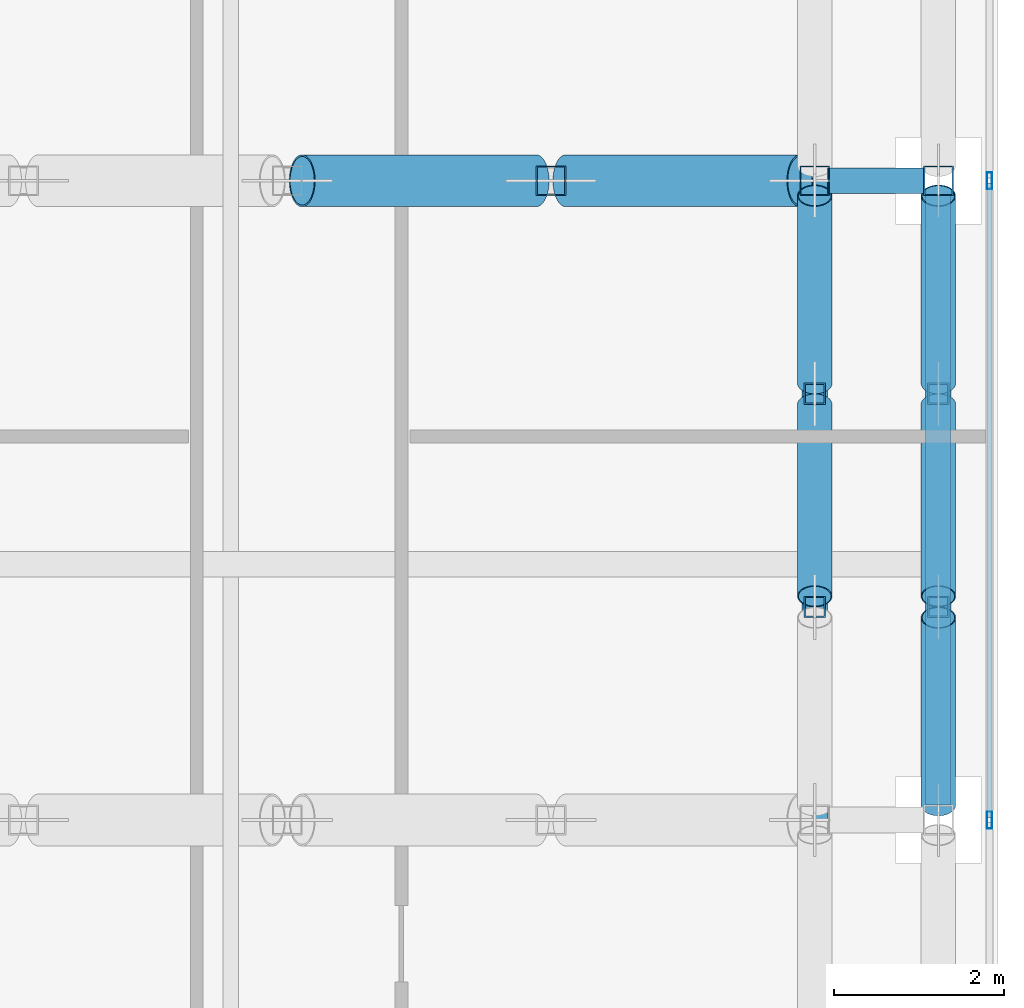
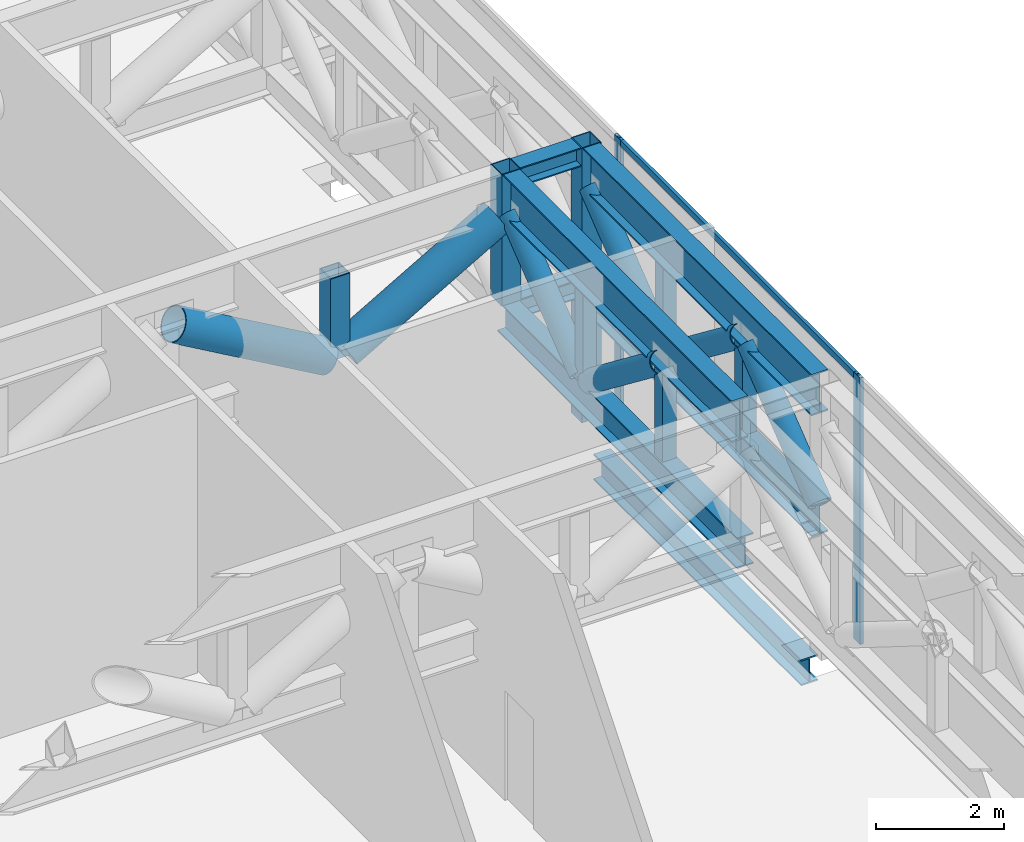
# One storey, part 14 of 36: 21 members, 3 beams, 1 element without a shape of its own.
"""IFC4 building model written with IfcOpenShell, lengths in metres."""

import ifcopenshell
import ifcopenshell.guid

model = None  # the IFC model being written
_history = None  # IfcOwnerHistory: only IFC2X3 demands one
_inside = {}  # id of a spatial element -> (the spatial element, [elements in it])
_under = {}  # id of a project, library or spatial element -> (it, [spatial elements below it])
_declared = {}  # id of a project -> (the project, [libraries it declares])
_typed = {}  # id of a type object -> (the type object, [elements of that type])
_made_of = {}  # id of a material, layer set ... -> (it, [elements and type objects made of it])


def new_model(schema):
    """Start an empty IFC model of exactly this schema.

    Asked for "IFC4X3", IfcOpenShell would pick the latest addendum, in which some entities
    have other attributes; the version numbers below select the first issue.
    IFC2X3 requires an IfcOwnerHistory on every rooted entity: one is made here for all.
    """
    global model, _history
    if schema == "IFC4X3":
        model = ifcopenshell.file(schema_version=(4, 3, 0, 0))
    else:
        model = ifcopenshell.file(schema=schema)
    _inside.clear()
    _under.clear()
    _declared.clear()
    _typed.clear()
    _made_of.clear()
    _history = None
    if model.schema == "IFC2X3":
        org = make("IfcOrganization", Name="unknown")
        user = make(
            "IfcPersonAndOrganization",
            ThePerson=make("IfcPerson", FamilyName="unknown"),
            TheOrganization=org,
        )
        app = make(
            "IfcApplication",
            ApplicationDeveloper=org,
            Version="unknown",
            ApplicationFullName="unknown",
            ApplicationIdentifier="unknown",
        )
        _history = make(
            "IfcOwnerHistory",
            OwningUser=user,
            OwningApplication=app,
            ChangeAction="ADDED",
            CreationDate=0,
        )
    return model


def make(cls, **values):
    """One entity of the class cls with the attributes given. An attribute that is None is left unset."""
    return model.create_entity(
        cls, **{name: value for name, value in values.items() if value is not None}
    )


def rooted(cls, **values):
    """An entity with a GlobalId (a new one), such as an element, a storey or a relation."""
    return make(cls, GlobalId=ifcopenshell.guid.new(), OwnerHistory=_history, **values)


def si_unit(unit_type, name, prefix=None):
    """IfcSIUnit, for example si_unit("LENGTHUNIT", "METRE", prefix="MILLI")."""
    return make("IfcSIUnit", UnitType=unit_type, Prefix=prefix, Name=name)


def assignment(units):
    """IfcUnitAssignment: the units of a project."""
    return None if units is None else make("IfcUnitAssignment", Units=units)


def point(xyz):
    """IfcCartesianPoint."""
    return None if xyz is None else make("IfcCartesianPoint", Coordinates=xyz)


def direction(xyz):
    """IfcDirection."""
    return None if xyz is None else make("IfcDirection", DirectionRatios=xyz)


def frame(location, z_axis=None, x_axis=None):
    """IfcAxis2Placement3D, a coordinate frame: its origin and axes. An axis left out is left unset."""
    return make(
        "IfcAxis2Placement3D",
        Location=point(location),
        Axis=direction(z_axis),
        RefDirection=direction(x_axis),
    )


def frame_2d(location, x_axis=None):
    """IfcAxis2Placement2D, a coordinate frame in the plane: its origin and x axis."""
    return make(
        "IfcAxis2Placement2D", Location=point(location), RefDirection=direction(x_axis)
    )


def origin():
    """The frame at (0, 0, 0) with its axes left unset."""
    return frame((0.0, 0.0, 0.0))


def origin_2d():
    """The frame at (0, 0) in the plane with its x axis left unset."""
    return frame_2d((0.0, 0.0))


def place(relative_to, where):
    """IfcLocalPlacement: puts the frame where relative to a parent placement (None: the world)."""
    return make(
        "IfcLocalPlacement", PlacementRelTo=relative_to, RelativePlacement=where
    )


def context(
    kind, dimensions, precision=None, world=None, true_north=None, identifier=None
):
    """IfcGeometricRepresentationContext, for example the 3D "Model" context."""
    return make(
        "IfcGeometricRepresentationContext",
        ContextIdentifier=identifier,
        ContextType=kind,
        CoordinateSpaceDimension=dimensions,
        Precision=precision,
        WorldCoordinateSystem=world,
        TrueNorth=true_north,
    )


def subcontext(parent, identifier, kind, view, scale=None):
    """IfcGeometricRepresentationSubContext, for example "Body" below "Model"."""
    return make(
        "IfcGeometricRepresentationSubContext",
        ContextIdentifier=identifier,
        ContextType=kind,
        ParentContext=parent,
        TargetScale=scale,
        TargetView=view,
    )


def project(units=None, contexts=None):
    """IfcProject with its units and contexts."""
    return rooted(
        "IfcProject",
        Name="project",
        RepresentationContexts=contexts,
        UnitsInContext=assignment(units),
    )


def spatial(cls, under=None, at=None, **own):
    """A site, building, storey or space (cls), placed at a placement, below another one or the project."""
    s = rooted(cls, ObjectPlacement=at, **own)
    if under is not None:
        _under.setdefault(under.id(), (under, []))[1].append(s)
    return s


def profile(cls, at=None, kind="AREA", **sizes):
    """A parametric profile (cls). Its sizes go by their IFC names, for example OverallWidth=200.0."""
    return make(cls, ProfileType=kind, Position=at, **sizes)


def hollow_rectangle(**sizes):
    """IfcRectangleHollowProfileDef."""
    return profile("IfcRectangleHollowProfileDef", **sizes)


def hollow_circle(**sizes):
    """IfcCircleHollowProfileDef."""
    return profile("IfcCircleHollowProfileDef", **sizes)


def i_section(**sizes):
    """IfcIShapeProfileDef."""
    return profile("IfcIShapeProfileDef", **sizes)


def extrude(swept, where, along, depth):
    """IfcExtrudedAreaSolid: the profile swept, set in the frame where, extruded along a direction by depth."""
    return make(
        "IfcExtrudedAreaSolid",
        SweptArea=swept,
        Position=where,
        ExtrudedDirection=direction(along),
        Depth=depth,
    )


def shape(context_of_items, identifier, shape_type, items):
    """IfcShapeRepresentation: the items that make up one representation, for example the "Body"."""
    return make(
        "IfcShapeRepresentation",
        ContextOfItems=context_of_items,
        RepresentationIdentifier=identifier,
        RepresentationType=shape_type,
        Items=items,
    )


def source(mapping_origin, context_of_items, identifier, shape_type, items):
    """IfcRepresentationMap: a shape defined once, which mapped items show again and again."""
    return make(
        "IfcRepresentationMap",
        MappingOrigin=mapping_origin,
        MappedRepresentation=shape(context_of_items, identifier, shape_type, items),
    )


def transform(
    local_origin,
    x_axis=None,
    y_axis=None,
    z_axis=None,
    scale=None,
    scale2=None,
    scale3=None,
    uniform=True,
):
    """IfcCartesianTransformationOperator3D, or its non-uniform kind. x_axis, y_axis, z_axis: its Axis1, 2, 3."""
    if uniform:
        return make(
            "IfcCartesianTransformationOperator3D",
            Axis1=direction(x_axis),
            Axis2=direction(y_axis),
            LocalOrigin=point(local_origin),
            Scale=scale,
            Axis3=direction(z_axis),
        )
    return make(
        "IfcCartesianTransformationOperator3DnonUniform",
        Axis1=direction(x_axis),
        Axis2=direction(y_axis),
        LocalOrigin=point(local_origin),
        Scale=scale,
        Axis3=direction(z_axis),
        Scale2=scale2,
        Scale3=scale3,
    )


def mapped(mapping_source, mapping_target):
    """IfcMappedItem: shows the shape of a source again, moved by a transform."""
    return make(
        "IfcMappedItem", MappingSource=mapping_source, MappingTarget=mapping_target
    )


def material(Name=None, Category=None):
    """IfcMaterial."""
    return make("IfcMaterial", Name=Name, Category=Category)


def material_profile(
    of_material, cross_section, Name=None, Category=None, Priority=None
):
    """IfcMaterialProfile: a cross section and its material."""
    return make(
        "IfcMaterialProfile",
        Name=Name,
        Material=of_material,
        Profile=cross_section,
        Priority=Priority,
        Category=Category,
    )


def profile_set(profiles, Name=None, composite=None):
    """IfcMaterialProfileSet."""
    return make(
        "IfcMaterialProfileSet",
        Name=Name,
        MaterialProfiles=profiles,
        CompositeProfile=composite,
    )


def made_of(thing, what):
    """Note that an element or type object is made of a material, layer set ...; save() writes the relation."""
    if what is not None:
        _made_of.setdefault(what.id(), (what, []))[1].append(thing)
    return thing


def type_object(cls, material=None, **own):
    """A type object (cls), such as IfcWallType, which elements share."""
    return made_of(rooted(cls, **own), material)


def element(
    cls,
    number,
    at=None,
    inside=None,
    cuts=None,
    type_object=None,
    material=None,
    context=None,
    identifier="Body",
    shape_type=None,
    held_by="IfcProductDefinitionShape",
    body=None,
    shapes=None,
    **own,
):
    """One element of the class cls, such as IfcWall. Its Tag is "e" and its number.

    at: its placement. inside: the storey or other place that contains it. cuts: it is an
    opening in that element (IfcRelVoidsElement). A single representation is given by context,
    identifier, shape_type and body (its items); several are given by shapes. held_by: the class
    of the entity that holds the representations. save() writes the other relations.
    """
    e = rooted(cls, Tag="e%d" % number, ObjectPlacement=at, **own)
    if body is not None:
        shapes = [shape(context, identifier, shape_type, body)]
    if shapes is not None:
        e.Representation = make(held_by, Representations=shapes)
    if inside is not None:
        _inside.setdefault(inside.id(), (inside, []))[1].append(e)
    if cuts is not None:
        rooted(
            "IfcRelVoidsElement", RelatingBuildingElement=cuts, RelatedOpeningElement=e
        )
    if type_object is not None:
        _typed.setdefault(type_object.id(), (type_object, []))[1].append(e)
    return made_of(e, material)


def aggregate(whole, parts):
    """IfcRelAggregates: a whole, such as a stair, and the parts it consists of."""
    return rooted("IfcRelAggregates", RelatingObject=whole, RelatedObjects=parts)


def save(model, path):
    """Write the relations noted so far, then the file.

    IfcRelAggregates (storeys below a building ...), IfcRelContainedInSpatialStructure (elements
    in a storey), IfcRelDefinesByType, IfcRelAssociatesMaterial and IfcRelDeclares: one each for
    every whole, place, type object, material and project.
    """
    for whole, parts in _under.values():
        aggregate(whole, parts)
    for where, things in _inside.values():
        rooted(
            "IfcRelContainedInSpatialStructure",
            RelatedElements=things,
            RelatingStructure=where,
        )
    for kind, things in _typed.values():
        rooted("IfcRelDefinesByType", RelatedObjects=things, RelatingType=kind)
    for what, things in _made_of.values():
        rooted("IfcRelAssociatesMaterial", RelatedObjects=things, RelatingMaterial=what)
    for by, libraries in _declared.values():
        rooted("IfcRelDeclares", RelatingContext=by, RelatedDefinitions=libraries)
    model.write(path)


model = new_model("IFC4")

# Units and contexts
model_context = context("Model", 3, precision=1e-05, world=origin(), true_north=direction((0.0, 1.0)))
body_context = subcontext(model_context, "Body", "Model", "MODEL_VIEW")
ifc_project = project(units=[si_unit("LENGTHUNIT", "METRE"), si_unit("AREAUNIT", "SQUARE_METRE"), si_unit("VOLUMEUNIT", "CUBIC_METRE"), si_unit("PLANEANGLEUNIT", "RADIAN"), si_unit("MASSUNIT", "GRAM", prefix="KILO")], contexts=[model_context])

# Site, building, storey
site_placement = place(None, origin())
site = spatial("IfcSite", under=ifc_project, at=site_placement, CompositionType="ELEMENT")
building_placement = place(site_placement, origin())
building = spatial("IfcBuilding", under=site, at=building_placement, Name="Khomas Fold Tower", CompositionType="ELEMENT")
storey_placement = place(building_placement, frame((0.0, 0.0, 216.699951171875)))
storey = spatial("IfcBuildingStorey", under=building, at=storey_placement, Name="L48", CompositionType="ELEMENT", Elevation=216.699951171875)

# Beam
ifc_material_1 = material(Name="Steel S355", Category="steel")
ifc_material_profile_1 = material_profile(ifc_material_1, i_section(OverallWidth=0.300048828125, OverallDepth=0.5, WebThickness=0.014404296875, FlangeThickness=0.028076171875, at=origin_2d()), Name="HE 500 B")
ifc_profile_set_1 = profile_set([ifc_material_profile_1], Name="Steel S355")
beam_type_1 = type_object("IfcBeamType", Name="HE 500 B spandrel SB3", PredefinedType="SPANDREL", material=ifc_profile_set_1)
shared_shape_1 = source(origin(), body_context, "Body", "SweptSolid", [
    extrude(i_section(OverallWidth=0.300048828125, OverallDepth=0.5, WebThickness=0.014404296875, FlangeThickness=0.028076171875, at=origin_2d()), origin(), (0.0, 0.0, 1.0), 6.5),
])
beam_1_placement = place(storey_placement, frame((50.300048828125, 20.0, -0.64990234375), z_axis=(0.0, 1.0, 0.0), x_axis=(-1.0, 0.0, 0.0)))
element("IfcBeam", 1, at=beam_1_placement, inside=storey, type_object=beam_type_1, Name="SB3", PredefinedType="SPANDREL", context=body_context, shape_type="MappedRepresentation", body=[
    mapped(shared_shape_1, transform((0.0, 0.0, 0.0))),
])

# Members
ifc_material_2 = material(Name="Steel S355", Category="steel")
ifc_material_profile_2 = material_profile(ifc_material_2, i_section(OverallWidth=0.300048828125, OverallDepth=0.7900390625, WebThickness=0.014892578125, FlangeThickness=0.028076171875, at=origin_2d()), Name="HE 800 A")
ifc_profile_set_2 = profile_set([ifc_material_profile_2], Name="Steel S355")
member_type_1 = type_object("IfcMemberType", Name="BELT TRUSS 3 TOP CHORD HE 800 A", PredefinedType="CHORD", material=ifc_profile_set_2)
shared_shape_2 = source(origin(), body_context, "Body", "SweptSolid", [
    extrude(i_section(OverallWidth=0.300048828125, OverallDepth=0.7900390625, WebThickness=0.014892578125, FlangeThickness=0.028076171875, at=origin_2d()), origin(), (0.0, 0.0, 1.0), 7.14990234375),
])
for number, where, z_axis, x_axis, name in (
    (2, (50.300048828125, 19.675048828125, 4.85498046875), (0.0, 1.0, 0.0), (-1.0, 0.0, 0.0), "BT3-CT"),
    (3, (48.85009765625, 19.675048828125, 4.85498046875), (0.0, 1.0, 0.0), (-1.0, 0.0, 0.0), "BT3-CT"),
):
    element("IfcMember", number, at=place(storey_placement, frame(where, z_axis=z_axis, x_axis=x_axis)), inside=storey, type_object=member_type_1, Name=name, PredefinedType="CHORD", context=body_context, shape_type="MappedRepresentation", body=[
        mapped(shared_shape_2, transform((0.0, 0.0, 0.0))),
    ])
ifc_material_3 = material(Name="Steel S355", Category="steel")
ifc_material_profile_3 = material_profile(ifc_material_3, i_section(OverallWidth=0.300048828125, OverallDepth=0.590087890625, WebThickness=0.012939453125, FlangeThickness=0.02490234375, at=origin_2d()), Name="HE 600 A")
ifc_profile_set_3 = profile_set([ifc_material_profile_3], Name="Steel S355")
member_type_2 = type_object("IfcMemberType", Name="BELT TRUSS 3 BOTTOM CHORD HE 600 A", PredefinedType="CHORD", material=ifc_profile_set_3)
shared_shape_3 = source(origin(), body_context, "Body", "SweptSolid", [
    extrude(i_section(OverallWidth=0.300048828125, OverallDepth=0.590087890625, WebThickness=0.012939453125, FlangeThickness=0.02490234375, at=origin_2d()), origin(), (0.0, 0.0, 1.0), 7.14990234375),
])
member_1_placement = place(storey_placement, frame((50.300048828125, 19.675048828125, 2.445068359375), z_axis=(0.0, 1.0, 0.0), x_axis=(-1.0, 0.0, 0.0)))
element("IfcMember", 4, at=member_1_placement, inside=storey, type_object=member_type_2, Name="BT3-CB", PredefinedType="CHORD", context=body_context, shape_type="MappedRepresentation", body=[
    mapped(shared_shape_3, transform((0.0, 0.0, 0.0))),
])
ifc_material_4 = material(Name="Steel S355", Category="steel")
ifc_material_profile_4 = material_profile(ifc_material_4, hollow_circle(Radius=0.203125, WallThickness=0.012451171875, at=origin_2d()), Name="CHS 406.4x12.5")
ifc_profile_set_4 = profile_set([ifc_material_profile_4], Name="Steel S355")
member_type_3 = type_object("IfcMemberType", Name="BELT TRUSS 3 DIAGONAL CHS 406.4x12.5", PredefinedType="BRACE", material=ifc_profile_set_4)
shared_shape_4 = source(origin(), body_context, "Body", "SweptSolid", [
    extrude(hollow_circle(Radius=0.203125, WallThickness=0.012451171875, at=origin_2d()), origin(), (0.0, 0.0, 1.0), 2.798583984375),
])
for number, where, z_axis, x_axis, name in (
    (5, (50.300048828125, 19.675048828125, 2.735107421875), (0.0, 0.786067028411, 0.618141267709), (-1.0, 0.0, 0.0), "BT3-D"),
    (6, (50.300048828125, 24.625, 2.735107421875), (0.0, 0.786067028411, 0.618141267709), (-1.0, 0.0, 0.0), "BT3-D"),
    (7, (48.85009765625, 24.625, 2.735107421875), (0.0, 0.786067028411, 0.618141267709), (-1.0, 0.0, 0.0), "BT3-D"),
):
    element("IfcMember", number, at=place(storey_placement, frame(where, z_axis=z_axis, x_axis=x_axis)), inside=storey, type_object=member_type_3, Name=name, PredefinedType="BRACE", context=body_context, shape_type="MappedRepresentation", body=[
        mapped(shared_shape_4, transform((0.0, 0.0, 0.0))),
    ])
shared_shape_5 = source(origin(), body_context, "Body", "SweptSolid", [
    extrude(hollow_circle(Radius=0.203125, WallThickness=0.012451171875, at=origin_2d()), origin(), (0.0, 0.0, 1.0), 2.838134765625),
])
for number, where, z_axis, x_axis, name in (
    (8, (50.300048828125, 22.125, 4.465087890625), (0.0, 0.792758275848, -0.609536148292), (-1.0, 0.0, 0.0), "BT3-D"),
    (9, (48.85009765625, 22.125, 4.465087890625), (0.0, 0.792758275848, -0.609536148292), (-1.0, 0.0, 0.0), "BT3-D"),
):
    element("IfcMember", number, at=place(storey_placement, frame(where, z_axis=z_axis, x_axis=x_axis)), inside=storey, type_object=member_type_3, Name=name, PredefinedType="BRACE", context=body_context, shape_type="MappedRepresentation", body=[
        mapped(shared_shape_5, transform((0.0, 0.0, 0.0))),
    ])
ifc_material_5 = material(Name="Steel S355", Category="steel")
ifc_material_profile_5 = material_profile(ifc_material_5, hollow_rectangle(XDim=0.25, YDim=0.25, WallThickness=0.01611328125, at=origin_2d()), Name="SHS 250x250x16")
ifc_profile_set_5 = profile_set([ifc_material_profile_5], Name="Steel S355")
member_type_4 = type_object("IfcMemberType", Name="BELT TRUSS 3 MID POST SHS 250x250x16", PredefinedType="POST", material=ifc_profile_set_5)
shared_shape_6 = source(origin(), body_context, "Body", "SweptSolid", [
    extrude(hollow_rectangle(XDim=0.25, YDim=0.25, WallThickness=0.01611328125, at=origin_2d()), origin(), (0.0, 0.0, 1.0), 1.719970703125),
])
for number, where, z_axis, x_axis, name in (
    (10, (50.300048828125, 22.0, 2.739990234375), (0.0, 0.0, 1.0), (1.0, 0.0, 0.0), "BT3-M"),
    (11, (50.300048828125, 24.5, 2.739990234375), (0.0, 0.0, 1.0), (1.0, 0.0, 0.0), "BT3-M"),
    (12, (48.85009765625, 22.0, 2.739990234375), (0.0, 0.0, 1.0), (1.0, 0.0, 0.0), "BT3-M"),
    (13, (48.85009765625, 24.5, 2.739990234375), (0.0, 0.0, 1.0), (1.0, 0.0, 0.0), "BT3-M"),
):
    element("IfcMember", number, at=place(storey_placement, frame(where, z_axis=z_axis, x_axis=x_axis)), inside=storey, type_object=member_type_4, Name=name, PredefinedType="POST", context=body_context, shape_type="MappedRepresentation", body=[
        mapped(shared_shape_6, transform((0.0, 0.0, 0.0))),
    ])
shared_shape_7 = source(origin(), body_context, "Body", "SweptSolid", [
    extrude(i_section(OverallWidth=0.300048828125, OverallDepth=0.590087890625, WebThickness=0.012939453125, FlangeThickness=0.02490234375, at=origin_2d()), origin(), (0.0, 0.0, 1.0), 7.5),
])
member_2_placement = place(storey_placement, frame((48.85009765625, 19.5, 2.445068359375), z_axis=(0.0, 1.0, 0.0), x_axis=(-1.0, 0.0, 0.0)))
element("IfcMember", 14, at=member_2_placement, inside=storey, type_object=member_type_2, Name="BT3-CB", PredefinedType="CHORD", context=body_context, shape_type="MappedRepresentation", body=[
    mapped(shared_shape_7, transform((0.0, 0.0, 0.0))),
])
ifc_material_6 = material(Name="Steel S355", Category="steel")
ifc_material_profile_6 = material_profile(ifc_material_6, hollow_rectangle(XDim=0.35009765625, YDim=0.35009765625, WallThickness=0.01611328125, at=origin_2d()), Name="SHS 350x350x16")
ifc_profile_set_6 = profile_set([ifc_material_profile_6], Name="Steel S355")
member_type_5 = type_object("IfcMemberType", Name="BELT TRUSS 3 COLUMN POST SHS 350x350x16", PredefinedType="POST", material=ifc_profile_set_6)
shared_shape_8 = source(origin(), body_context, "Body", "SweptSolid", [
    extrude(hollow_rectangle(XDim=0.35009765625, YDim=0.35009765625, WallThickness=0.01611328125, at=origin_2d()), origin(), (0.0, 0.0, 1.0), 5.25),
])
member_3_placement = place(storey_placement, frame((50.300048828125, 27.0, 0.0), z_axis=(0.0, 0.0, 1.0), x_axis=(1.0, 0.0, 0.0)))
element("IfcMember", 15, at=member_3_placement, inside=storey, type_object=member_type_5, Name="BT3-P", PredefinedType="POST", context=body_context, shape_type="MappedRepresentation", body=[
    mapped(shared_shape_8, transform((0.0, 0.0, 0.0))),
])
ifc_material_7 = material(Name="Steel S355", Category="steel")
ifc_material_profile_7 = material_profile(ifc_material_7, hollow_rectangle(XDim=0.35009765625, YDim=0.35009765625, WallThickness=0.01611328125, at=origin_2d()), Name="SHS 350x350x16")
ifc_profile_set_7 = profile_set([ifc_material_profile_7], Name="Steel S355")
member_type_6 = type_object("IfcMemberType", Name="BELT TRUSS 3 COLUMN POST SHORT SHS 350x350x16", PredefinedType="POST", material=ifc_profile_set_7)
shared_shape_9 = source(origin(), body_context, "Body", "SweptSolid", [
    extrude(hollow_rectangle(XDim=0.35009765625, YDim=0.35009765625, WallThickness=0.01611328125, at=origin_2d()), origin(), (0.0, 0.0, 1.0), 2.510009765625),
])
member_4_placement = place(storey_placement, frame((48.85009765625, 27.0, 2.739990234375), z_axis=(0.0, 0.0, 1.0), x_axis=(1.0, 0.0, 0.0)))
element("IfcMember", 16, at=member_4_placement, inside=storey, type_object=member_type_6, Name="BT3-PS", PredefinedType="POST", context=body_context, shape_type="MappedRepresentation", body=[
    mapped(shared_shape_9, transform((0.0, 0.0, 0.0))),
])

# Beams
ifc_material_8 = material(Name="Steel S355", Category="steel")
ifc_material_profile_8 = material_profile(ifc_material_8, i_section(OverallWidth=0.300048828125, OverallDepth=0.360107421875, WebThickness=0.012451171875, FlangeThickness=0.0224609375, at=origin_2d()), Name="HE 360 B")
ifc_profile_set_8 = profile_set([ifc_material_profile_8], Name="Steel S355")
beam_type_2 = type_object("IfcBeamType", Name="BELT TRUSS 3 TOP STRUT HE 360 B", PredefinedType="BEAM", material=ifc_profile_set_8)
shared_shape_10 = source(origin(), body_context, "Body", "SweptSolid", [
    extrude(i_section(OverallWidth=0.300048828125, OverallDepth=0.360107421875, WebThickness=0.012451171875, FlangeThickness=0.0224609375, at=origin_2d()), origin(), (0.0, 0.0, 1.0), 1.10009765625),
])
beam_2_placement = place(storey_placement, frame((49.02490234375, 27.0, 5.070068359375), z_axis=(1.0, 0.0, 0.0), x_axis=(0.0, 1.0, 0.0)))
element("IfcBeam", 17, at=beam_2_placement, inside=storey, type_object=beam_type_2, Name="BT3-ST", PredefinedType="BEAM", context=body_context, shape_type="MappedRepresentation", body=[
    mapped(shared_shape_10, transform((0.0, 0.0, 0.0))),
])
ifc_material_9 = material(Name="Steel S355", Category="steel")
ifc_material_profile_9 = material_profile(ifc_material_9, i_section(OverallWidth=0.300048828125, OverallDepth=0.360107421875, WebThickness=0.012451171875, FlangeThickness=0.0224609375, at=origin_2d()), Name="HE 360 B")
ifc_profile_set_9 = profile_set([ifc_material_profile_9], Name="Steel S355")
beam_type_3 = type_object("IfcBeamType", Name="BELT TRUSS 3 BOTTOM STRUT HE 360 B", PredefinedType="BEAM", material=ifc_profile_set_9)
shared_shape_11 = source(origin(), body_context, "Body", "SweptSolid", [
    extrude(i_section(OverallWidth=0.300048828125, OverallDepth=0.360107421875, WebThickness=0.012451171875, FlangeThickness=0.0224609375, at=origin_2d()), origin(), (0.0, 0.0, 1.0), 1.125),
])
beam_3_placement = place(storey_placement, frame((49.0, 27.0, 2.56005859375), z_axis=(1.0, 0.0, 0.0), x_axis=(0.0, 1.0, 0.0)))
element("IfcBeam", 18, at=beam_3_placement, inside=storey, type_object=beam_type_3, Name="BT3-SB", PredefinedType="BEAM", context=body_context, shape_type="MappedRepresentation", body=[
    mapped(shared_shape_11, transform((0.0, 0.0, 0.0))),
])

# Members
ifc_material_10 = material(Name="Steel S355", Category="steel")
ifc_material_profile_10 = material_profile(ifc_material_10, hollow_circle(Radius=0.304931640625, WallThickness=0.02001953125, at=origin_2d()), Name="CHS 610x20")
ifc_profile_set_10 = profile_set([ifc_material_profile_10], Name="Steel S355")
member_type_7 = type_object("IfcMemberType", Name="OUTRIGGER 2 DIAGONAL CHS 610x20", PredefinedType="BRACE", material=ifc_profile_set_10)
shared_shape_12 = source(origin(), body_context, "Body", "SweptSolid", [
    extrude(hollow_circle(Radius=0.304931640625, WallThickness=0.02001953125, at=origin_2d()), origin(), (0.0, 0.0, 1.0), 3.166748046875),
])
for number, where, z_axis, x_axis, name in (
    (19, (42.836181640625, 27.0, 4.344970703125), (0.866658823568, 0.0, -0.498901276338), (0.0, 1.0, 0.0), "OR2-D"),
    (20, (45.9306640625, 27.0, 2.76513671875), (0.866658823568, 0.0, 0.498901276338), (0.0, 1.0, 0.0), "OR2-D"),
):
    element("IfcMember", number, at=place(storey_placement, frame(where, z_axis=z_axis, x_axis=x_axis)), inside=storey, type_object=member_type_7, Name=name, PredefinedType="BRACE", context=body_context, shape_type="MappedRepresentation", body=[
        mapped(shared_shape_12, transform((0.0, 0.0, 0.0))),
    ])
ifc_material_11 = material(Name="Steel S355", Category="steel")
ifc_material_profile_11 = material_profile(ifc_material_11, hollow_rectangle(XDim=0.35009765625, YDim=0.35009765625, WallThickness=0.01611328125, at=origin_2d()), Name="SHS 350x350x16")
ifc_profile_set_11 = profile_set([ifc_material_profile_11], Name="Steel S355")
member_type_8 = type_object("IfcMemberType", Name="OUTRIGGER 2 MID POST SHS 350x350x16", PredefinedType="POST", material=ifc_profile_set_11)
shared_shape_13 = source(origin(), body_context, "Body", "SweptSolid", [
    extrude(hollow_rectangle(XDim=0.35009765625, YDim=0.35009765625, WallThickness=0.01611328125, at=origin_2d()), origin(), (0.0, 0.0, 1.0), 1.570068359375),
])
member_5_placement = place(storey_placement, frame((45.755615234375, 27.0, 2.77001953125), z_axis=(0.0, 0.0, 1.0), x_axis=(1.0, 0.0, 0.0)))
element("IfcMember", 21, at=member_5_placement, inside=storey, type_object=member_type_8, Name="OR2-M", PredefinedType="POST", context=body_context, shape_type="MappedRepresentation", body=[
    mapped(shared_shape_13, transform((0.0, 0.0, 0.0))),
])

# Curtain wall, members
ifc_material_12 = material(Name="Aluminium framed double glazing", Category="aluminium")
curtain_wall_type = type_object("IfcCurtainWallType", Name="SK-Plant louvre wall CW4", PredefinedType="NOTDEFINED", material=ifc_material_12)
curtain_wall_placement = place(storey_placement, origin())
curtain_wall = element("IfcCurtainWall", 22, at=curtain_wall_placement, inside=storey, type_object=curtain_wall_type, Name="CW4 run L48 03-0", PredefinedType="NOTDEFINED")
ifc_material_13 = material(Name="Aluminium", Category="aluminium")
ifc_material_profile_12 = material_profile(ifc_material_13, hollow_rectangle(XDim=0.06005859375, YDim=0.199951171875, WallThickness=0.00390625, at=origin_2d()), Name="SK-Plant louvre wall mullion CW4-M")
ifc_profile_set_12 = profile_set([ifc_material_profile_12], Name="Aluminium")
member_type_9 = type_object("IfcMemberType", Name="SK-Plant louvre wall mullion CW4-M", PredefinedType="MULLION", material=ifc_profile_set_12)
shared_shape_14 = source(origin(), body_context, "Body", "SweptSolid", [
    extrude(hollow_rectangle(XDim=0.06005859375, YDim=0.199951171875, WallThickness=0.00390625, at=origin_2d()), origin(), (0.0, 0.0, 1.0), 5.10009765625),
])
member_6_placement = place(storey_placement, frame((50.89990234375, 19.5, 0.0), z_axis=(0.0, 0.0, 1.0), x_axis=(-1.0, 0.0, 0.0)))
member_6 = element("IfcMember", 23, at=member_6_placement, type_object=member_type_9, Name="CW4 mullion 4", PredefinedType="MULLION", context=body_context, shape_type="MappedRepresentation", body=[
    mapped(shared_shape_14, transform((0.0, 0.0, 0.0))),
])
member_7_placement = place(storey_placement, frame((50.89990234375, 27.0, 0.0), z_axis=(0.0, 0.0, 1.0), x_axis=(-1.0, 0.0, 0.0)))
member_7 = element("IfcMember", 24, at=member_7_placement, type_object=member_type_9, Name="CW4 mullion 5", PredefinedType="MULLION", context=body_context, shape_type="MappedRepresentation", body=[
    mapped(shared_shape_14, transform((0.0, 0.0, 0.0))),
])
ifc_material_14 = material(Name="Aluminium", Category="aluminium")
ifc_material_profile_13 = material_profile(ifc_material_14, hollow_rectangle(XDim=0.06005859375, YDim=0.1201171875, WallThickness=0.00390625, at=origin_2d()), Name="SK-Plant louvre wall transom CW4-T")
ifc_profile_set_13 = profile_set([ifc_material_profile_13], Name="Aluminium")
member_type_10 = type_object("IfcMemberType", Name="SK-Plant louvre wall transom CW4-T", PredefinedType="USERDEFINED", material=ifc_profile_set_13)
shared_shape_15 = source(origin(), body_context, "Body", "SweptSolid", [
    extrude(hollow_rectangle(XDim=0.06005859375, YDim=0.1201171875, WallThickness=0.00390625, at=origin_2d()), origin(), (0.0, 0.0, 1.0), 7.43994140625),
])
member_8_placement = place(storey_placement, frame((50.89990234375, 19.530029296875, 5.0400390625), z_axis=(0.0, 1.0, 0.0), x_axis=(-1.0, 0.0, 0.0)))
member_8 = element("IfcMember", 25, at=member_8_placement, type_object=member_type_10, Name="CW4 transom 4", ObjectType="TRANSOM", PredefinedType="USERDEFINED", context=body_context, shape_type="MappedRepresentation", body=[
    mapped(shared_shape_15, transform((0.0, 0.0, 0.0))),
])
aggregate(curtain_wall, [member_6, member_7, member_8])

save(model, "model.ifc")
